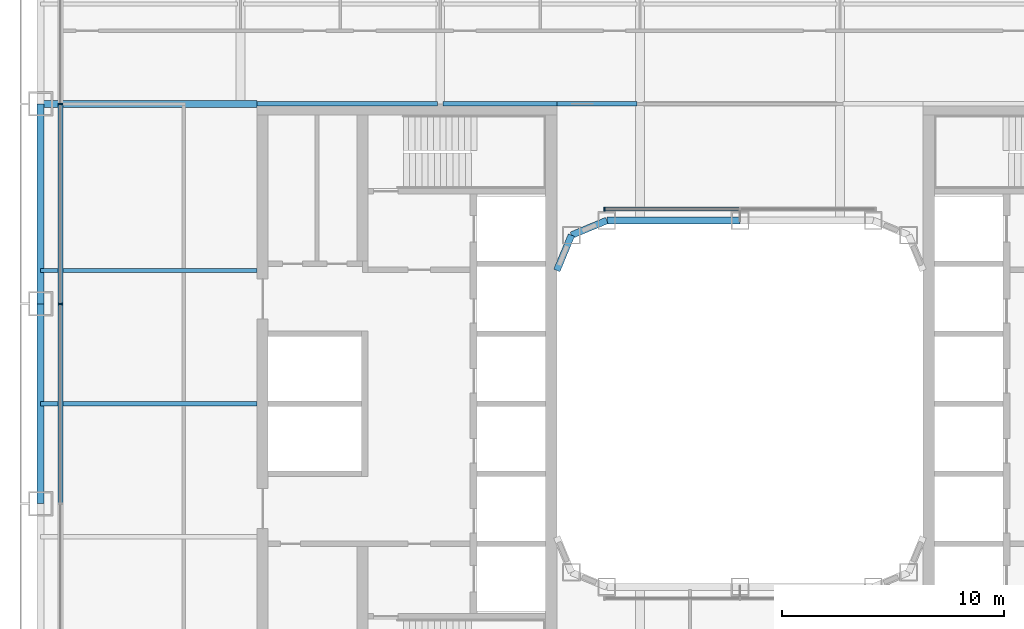
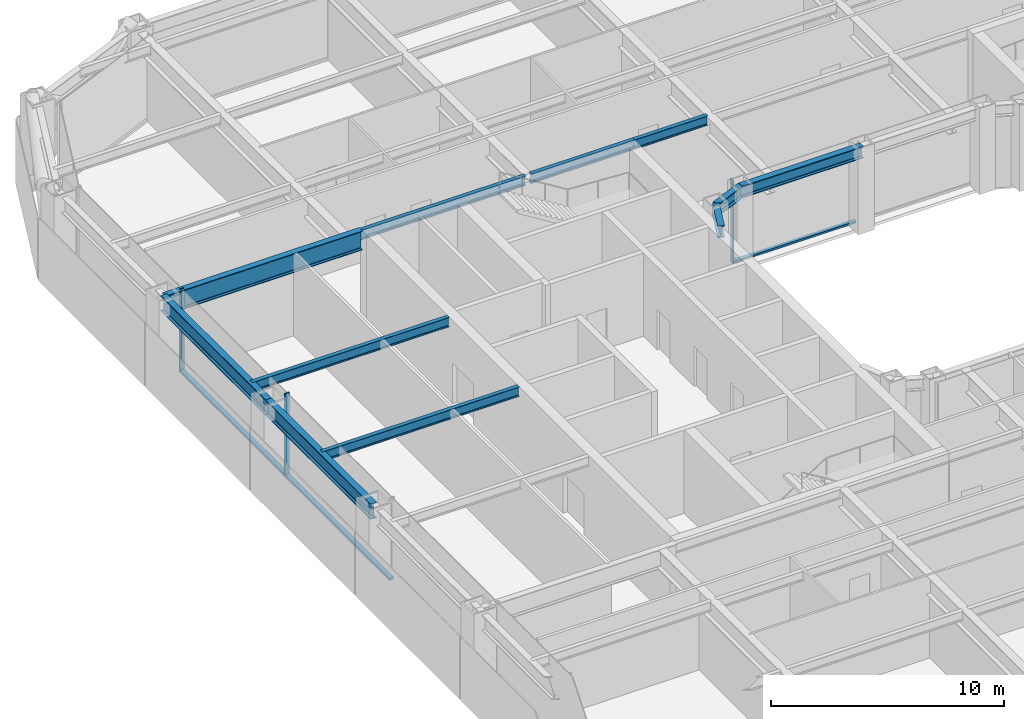
# One storey, part 6 of 24: 11 beams, 6 members, 2 elements without a shape of their own.
"""IFC4 building model written with IfcOpenShell, lengths in metres."""

from ifc_helpers import new_model, si_unit, direction, frame, origin, origin_2d, place, context, subcontext, project, spatial, rectangle, i_section, extrude, material, layer, layer_set, material_profile, profile_set, type_object, element, aggregate, save


model = new_model("IFC4")

# Units and contexts
model_context = context("Model", 3, precision=1e-05, world=origin(), true_north=direction((0.0, 1.0)))
body_context = subcontext(model_context, "Body", "Model", "MODEL_VIEW")
ifc_project = project(units=[si_unit("LENGTHUNIT", "METRE"), si_unit("AREAUNIT", "SQUARE_METRE"), si_unit("VOLUMEUNIT", "CUBIC_METRE"), si_unit("PLANEANGLEUNIT", "RADIAN"), si_unit("MASSUNIT", "GRAM", prefix="KILO")], contexts=[model_context])

# Site, building, storey
site_placement = place(None, origin())
site = spatial("IfcSite", under=ifc_project, at=site_placement, CompositionType="ELEMENT")
building_placement = place(site_placement, origin())
building = spatial("IfcBuilding", under=site, at=building_placement, Name="Siwar Civic Tower", CompositionType="ELEMENT")
storey_placement = place(building_placement, frame((0.0, 0.0, 40.199951171875)))
storey = spatial("IfcBuildingStorey", under=building, at=storey_placement, Name="L08", CompositionType="ELEMENT", Elevation=40.199951171875)

# Curtain wall, members
ifc_material_1 = material(Name="Aluminium and glass", Category="aluminium")
ifc_layer_1 = layer(ifc_material_1, 0.219970703125)
ifc_layer_set_1 = layer_set([ifc_layer_1], Name="Aluminium and glass")
curtain_wall_type_1 = type_object("IfcCurtainWallType", Name="ENV-CW-A", PredefinedType="NOTDEFINED", material=ifc_layer_set_1)
curtain_wall_1_placement = place(storey_placement, origin())
curtain_wall_1 = element("IfcCurtainWall", 1, at=curtain_wall_1_placement, inside=storey, type_object=curtain_wall_type_1, Name="Curtain wall A W", PredefinedType="NOTDEFINED")
ifc_material_2 = material(Name="Aluminium 6063-T6", Category="aluminium")
ifc_material_profile_1 = material_profile(ifc_material_2, rectangle(XDim=0.219970703125, YDim=0.070068359375, at=origin_2d()), Name="AL 220x70")
ifc_profile_set_1 = profile_set([ifc_material_profile_1], Name="Aluminium 6063-T6")
member_type_1 = type_object("IfcMemberType", Name="ENV-MULLION-A", PredefinedType="MULLION", material=ifc_profile_set_1)
member_1_placement = place(storey_placement, frame((-30.60009765625, 13.5, 0.0), z_axis=(0.0, 0.0, 1.0), x_axis=(1.0, 0.0, 0.0)))
member_1 = element("IfcMember", 2, at=member_1_placement, type_object=member_type_1, Name="Mullion A W 2", PredefinedType="MULLION", context=body_context, shape_type="SweptSolid", body=[
    extrude(rectangle(XDim=0.219970703125, YDim=0.070068359375, at=origin_2d()), origin(), (0.0, 0.0, 1.0), 4.35009765625),
])
member_2_placement = place(storey_placement, frame((-30.60009765625, 4.5, 0.0), z_axis=(0.0, 0.0, 1.0), x_axis=(1.0, 0.0, 0.0)))
member_2 = element("IfcMember", 3, at=member_2_placement, type_object=member_type_1, Name="Mullion A W 3", PredefinedType="MULLION", context=body_context, shape_type="SweptSolid", body=[
    extrude(rectangle(XDim=0.219970703125, YDim=0.070068359375, at=origin_2d()), origin(), (0.0, 0.0, 1.0), 4.35009765625),
])

# Curtain wall, member
ifc_material_3 = material(Name="Aluminium and glass", Category="aluminium")
ifc_layer_2 = layer(ifc_material_3, 0.179931640625)
ifc_layer_set_2 = layer_set([ifc_layer_2], Name="Aluminium and glass")
curtain_wall_type_2 = type_object("IfcCurtainWallType", Name="ENV-CW-W", PredefinedType="NOTDEFINED", material=ifc_layer_set_2)
curtain_wall_2_placement = place(storey_placement, origin())
curtain_wall_2 = element("IfcCurtainWall", 4, at=curtain_wall_2_placement, inside=storey, type_object=curtain_wall_type_2, Name="Curtain wall W WN", PredefinedType="NOTDEFINED")
ifc_material_4 = material(Name="Aluminium 6063-T6", Category="aluminium")
ifc_material_profile_2 = material_profile(ifc_material_4, rectangle(XDim=0.179931640625, YDim=0.06005859375, at=origin_2d()), Name="AL 180x60")
ifc_profile_set_2 = profile_set([ifc_material_profile_2], Name="Aluminium 6063-T6")
member_type_2 = type_object("IfcMemberType", Name="ENV-MULLION-W", PredefinedType="MULLION", material=ifc_profile_set_2)
member_3_placement = place(storey_placement, frame((-6.1015625, 8.760009765625, 0.0), z_axis=(0.0, 0.0, 1.0), x_axis=(0.0, -1.0, 0.0)))
member_3 = element("IfcMember", 5, at=member_3_placement, type_object=member_type_2, Name="Mullion W WN 3", PredefinedType="MULLION", context=body_context, shape_type="SweptSolid", body=[
    extrude(rectangle(XDim=0.179931640625, YDim=0.06005859375, at=origin_2d()), origin(), (0.0, 0.0, 1.0), 4.35009765625),
])

# Member
ifc_material_5 = material(Name="Aluminium 6063-T6", Category="aluminium")
ifc_material_profile_3 = material_profile(ifc_material_5, rectangle(XDim=0.219970703125, YDim=0.1201171875, at=origin_2d()), Name="AL 220x120")
ifc_profile_set_3 = profile_set([ifc_material_profile_3], Name="Aluminium 6063-T6")
member_type_3 = type_object("IfcMemberType", Name="ENV-TRANSOM-A", PredefinedType="USERDEFINED", material=ifc_profile_set_3)
member_4_placement = place(storey_placement, frame((-30.60009765625, 13.465087890625, 0.06005859375), z_axis=(0.0, -1.0, 0.0), x_axis=(1.0, 0.0, 0.0)))
member_4 = element("IfcMember", 6, at=member_4_placement, type_object=member_type_3, Name="Transom A W 2", ObjectType="TRANSOM", PredefinedType="USERDEFINED", context=body_context, shape_type="SweptSolid", body=[
    extrude(rectangle(XDim=0.219970703125, YDim=0.1201171875, at=origin_2d()), origin(), (0.0, 0.0, 1.0), 8.93017578125),
])

member_5_placement = place(storey_placement, frame((-30.60009765625, 4.465087890625, 0.06005859375), z_axis=(0.0, -1.0, 0.0), x_axis=(1.0, 0.0, 0.0)))
member_5 = element("IfcMember", 7, at=member_5_placement, type_object=member_type_3, Name="Transom A W 3", ObjectType="TRANSOM", PredefinedType="USERDEFINED", context=body_context, shape_type="SweptSolid", body=[
    extrude(rectangle(XDim=0.219970703125, YDim=0.1201171875, at=origin_2d()), origin(), (0.0, 0.0, 1.0), 8.93017578125),
])

aggregate(curtain_wall_1, [member_1, member_2, member_4, member_5])

ifc_material_6 = material(Name="Aluminium 6063-T6", Category="aluminium")
ifc_material_profile_4 = material_profile(ifc_material_6, rectangle(XDim=0.179931640625, YDim=0.10009765625, at=origin_2d()), Name="AL 180x100")
ifc_profile_set_4 = profile_set([ifc_material_profile_4], Name="Aluminium 6063-T6")
member_type_4 = type_object("IfcMemberType", Name="ENV-TRANSOM-W", PredefinedType="USERDEFINED", material=ifc_profile_set_4)
member_6_placement = place(storey_placement, frame((-0.030029296875, 8.760009765625, 0.050048828125), z_axis=(-1.0, 0.0, 0.0), x_axis=(0.0, -1.0, 0.0)))
member_6 = element("IfcMember", 8, at=member_6_placement, type_object=member_type_4, Name="Transom W WN 2", ObjectType="TRANSOM", PredefinedType="USERDEFINED", context=body_context, shape_type="SweptSolid", body=[
    extrude(rectangle(XDim=0.179931640625, YDim=0.10009765625, at=origin_2d()), origin(), (0.0, 0.0, 1.0), 6.04150390625),
])

aggregate(curtain_wall_2, [member_3, member_6])

# Beams
ifc_material_7 = material(Name="Steel S355", Category="steel")
ifc_material_profile_5 = material_profile(ifc_material_7, i_section(OverallWidth=0.199951171875, OverallDepth=0.5, WebThickness=0.01025390625, FlangeThickness=0.01611328125, FilletRadius=0.02099609375, at=origin_2d()), Name="IPE500")
ifc_profile_set_5 = profile_set([ifc_material_profile_5], Name="Steel S355")
beam_type_1 = type_object("IfcBeamType", Name="STR-FB-IPE500", PredefinedType="JOIST", material=ifc_profile_set_5)
for number, where, z_axis, x_axis, name in (
    (9, (-31.5, 0.0, 4.10009765625), (1.0, 0.0, 0.0), (0.0, 1.0, 0.0), "L08/bm/F033"),
    (10, (-31.5, 6.0, 4.10009765625), (1.0, 0.0, 0.0), (0.0, 1.0, 0.0), "L08/bm/F035"),
):
    element("IfcBeam", number, at=place(storey_placement, frame(where, z_axis=z_axis, x_axis=x_axis)), inside=storey, type_object=beam_type_1, Name=name, PredefinedType="JOIST", context=body_context, shape_type="SweptSolid", body=[
        extrude(i_section(OverallWidth=0.199951171875, OverallDepth=0.5, WebThickness=0.01025390625, FlangeThickness=0.01611328125, FilletRadius=0.02099609375, at=origin_2d()), origin(), (0.0, 0.0, 1.0), 9.75),
    ])
beam_1_placement = place(storey_placement, frame((-21.75, 13.5, 4.10009765625), z_axis=(1.0, 0.0, 0.0), x_axis=(0.0, 1.0, 0.0)))
element("IfcBeam", 11, at=beam_1_placement, inside=storey, type_object=beam_type_1, Name="L08/bm/F038", PredefinedType="JOIST", context=body_context, shape_type="SweptSolid", body=[
    extrude(i_section(OverallWidth=0.199951171875, OverallDepth=0.5, WebThickness=0.01025390625, FlangeThickness=0.01611328125, FilletRadius=0.02099609375, at=origin_2d()), origin(), (0.0, 0.0, 1.0), 8.1201171875),
])
beam_2_placement = place(storey_placement, frame((-13.3701171875, 13.5, 4.10009765625), z_axis=(1.0, 0.0, 0.0), x_axis=(0.0, 1.0, 0.0)))
element("IfcBeam", 12, at=beam_2_placement, inside=storey, type_object=beam_type_1, Name="L08/bm/F039", PredefinedType="JOIST", context=body_context, shape_type="SweptSolid", body=[
    extrude(i_section(OverallWidth=0.199951171875, OverallDepth=0.5, WebThickness=0.01025390625, FlangeThickness=0.01611328125, FilletRadius=0.02099609375, at=origin_2d()), origin(), (0.0, 0.0, 1.0), 5.1201171875),
])
beam_3_placement = place(storey_placement, frame((-8.25, 13.5, 4.10009765625), z_axis=(1.0, 0.0, 0.0), x_axis=(0.0, 1.0, 0.0)))
element("IfcBeam", 13, at=beam_3_placement, inside=storey, type_object=beam_type_1, Name="L08/bm/F040", PredefinedType="JOIST", context=body_context, shape_type="SweptSolid", body=[
    extrude(i_section(OverallWidth=0.199951171875, OverallDepth=0.5, WebThickness=0.01025390625, FlangeThickness=0.01611328125, FilletRadius=0.02099609375, at=origin_2d()), origin(), (0.0, 0.0, 1.0), 3.6201171875),
])
ifc_material_8 = material(Name="Steel S355", Category="steel")
ifc_material_profile_6 = material_profile(ifc_material_8, i_section(OverallWidth=0.300048828125, OverallDepth=1.0, WebThickness=0.01904296875, FlangeThickness=0.035888671875, FilletRadius=0.030029296875, at=origin_2d()), Name="HEB1000")
ifc_profile_set_6 = profile_set([ifc_material_profile_6], Name="Steel S355")
beam_type_2 = type_object("IfcBeamType", Name="STR-PG-HEB1000", PredefinedType="BEAM", material=ifc_profile_set_6)
beam_4_placement = place(storey_placement, frame((-31.5, 13.5, 3.85009765625), z_axis=(1.0, 0.0, 0.0), x_axis=(0.0, 1.0, 0.0)))
element("IfcBeam", 14, at=beam_4_placement, inside=storey, type_object=beam_type_2, Name="L08/bm/F037", PredefinedType="BEAM", context=body_context, shape_type="SweptSolid", body=[
    extrude(i_section(OverallWidth=0.300048828125, OverallDepth=1.0, WebThickness=0.01904296875, FlangeThickness=0.035888671875, FilletRadius=0.030029296875, at=origin_2d()), origin(), (0.0, 0.0, 1.0), 9.75),
])
ifc_material_9 = material(Name="Steel S355", Category="steel")
ifc_material_profile_7 = material_profile(ifc_material_9, i_section(OverallWidth=0.304931640625, OverallDepth=0.6201171875, WebThickness=0.02099609375, FlangeThickness=0.0400390625, FilletRadius=0.027099609375, at=origin_2d()), Name="HEM600")
ifc_profile_set_7 = profile_set([ifc_material_profile_7], Name="Steel S355")
beam_type_3 = type_object("IfcBeamType", Name="STR-RB-HEM600", PredefinedType="BEAM", material=ifc_profile_set_7)
beam_5_placement = place(storey_placement, frame((-7.591064453125, 7.591064453125, 4.0400390625), z_axis=(0.923901072997, 0.382631424892, 0.0), x_axis=(-0.382631424892, 0.923901072997, 0.0)))
element("IfcBeam", 15, at=beam_5_placement, inside=storey, type_object=beam_type_3, Name="L08/bm/RN0", PredefinedType="BEAM", context=body_context, shape_type="SweptSolid", body=[
    extrude(i_section(OverallWidth=0.304931640625, OverallDepth=0.6201171875, WebThickness=0.02099609375, FlangeThickness=0.0400390625, FilletRadius=0.027099609375, at=origin_2d()), origin(), (0.0, 0.0, 1.0), 1.72216796875),
])
beam_6_placement = place(storey_placement, frame((-6.0, 8.25, 4.0400390625), z_axis=(1.0, 0.0, 0.0), x_axis=(0.0, 1.0, 0.0)))
element("IfcBeam", 16, at=beam_6_placement, inside=storey, type_object=beam_type_3, Name="L08/bm/RN1", PredefinedType="BEAM", context=body_context, shape_type="SweptSolid", body=[
    extrude(i_section(OverallWidth=0.304931640625, OverallDepth=0.6201171875, WebThickness=0.02099609375, FlangeThickness=0.0400390625, FilletRadius=0.027099609375, at=origin_2d()), origin(), (0.0, 0.0, 1.0), 6.0),
])
beam_7_placement = place(storey_placement, frame((-7.591064453125, 7.591064453125, 4.0400390625), z_axis=(-0.382631424892, -0.923901072997, 0.0), x_axis=(0.923901072997, -0.382631424892, 0.0)))
element("IfcBeam", 17, at=beam_7_placement, inside=storey, type_object=beam_type_3, Name="L08/bm/RNEW", PredefinedType="BEAM", context=body_context, shape_type="SweptSolid", body=[
    extrude(i_section(OverallWidth=0.304931640625, OverallDepth=0.6201171875, WebThickness=0.02099609375, FlangeThickness=0.0400390625, FilletRadius=0.027099609375, at=origin_2d()), origin(), (0.0, 0.0, 1.0), 1.72216796875),
])
ifc_material_10 = material(Name="Steel S355", Category="steel")
ifc_material_profile_8 = material_profile(ifc_material_10, i_section(OverallWidth=0.302978515625, OverallDepth=0.81396484375, WebThickness=0.02099609375, FlangeThickness=0.0400390625, FilletRadius=0.030029296875, at=origin_2d()), Name="HEM800")
ifc_profile_set_8 = profile_set([ifc_material_profile_8], Name="Steel S355")
beam_type_4 = type_object("IfcBeamType", Name="STR-SB-HEM800", PredefinedType="BEAM", material=ifc_profile_set_8)
for number, where, z_axis, x_axis, name in (
    (18, (-31.5, 13.5, 3.943115234375), (0.0, -1.0, 0.0), (1.0, 0.0, 0.0), "L08/bm/SW-1"),
    (19, (-31.5, 4.5, 3.943115234375), (0.0, -1.0, 0.0), (1.0, 0.0, 0.0), "L08/bm/SW-2"),
):
    element("IfcBeam", number, at=place(storey_placement, frame(where, z_axis=z_axis, x_axis=x_axis)), inside=storey, type_object=beam_type_4, Name=name, PredefinedType="BEAM", context=body_context, shape_type="SweptSolid", body=[
        extrude(i_section(OverallWidth=0.302978515625, OverallDepth=0.81396484375, WebThickness=0.02099609375, FlangeThickness=0.0400390625, FilletRadius=0.030029296875, at=origin_2d()), origin(), (0.0, 0.0, 1.0), 9.0),
    ])

save(model, "model.ifc")
